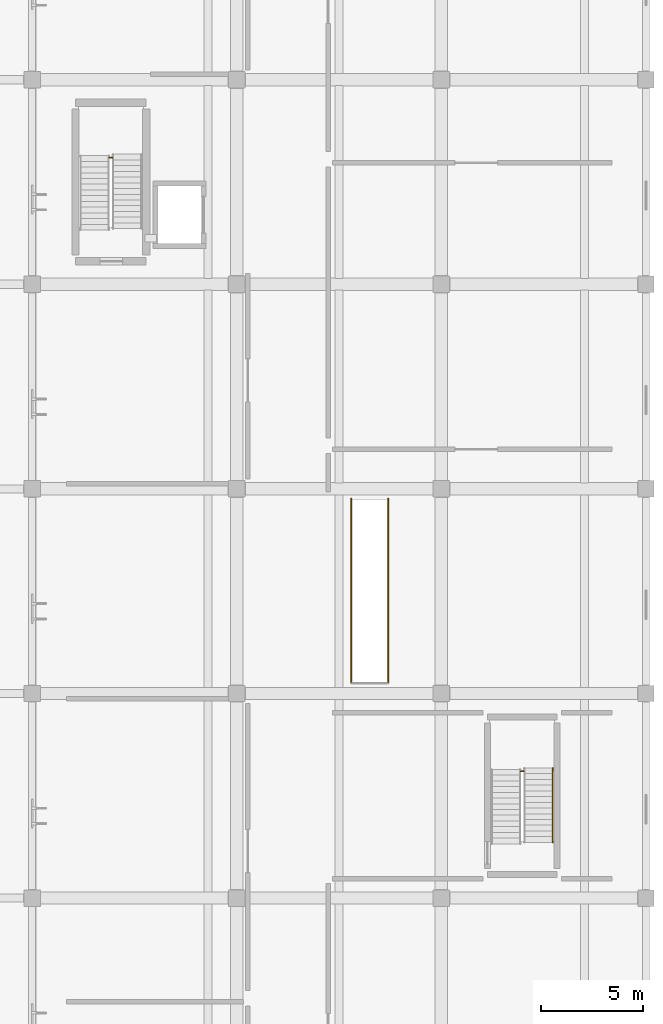
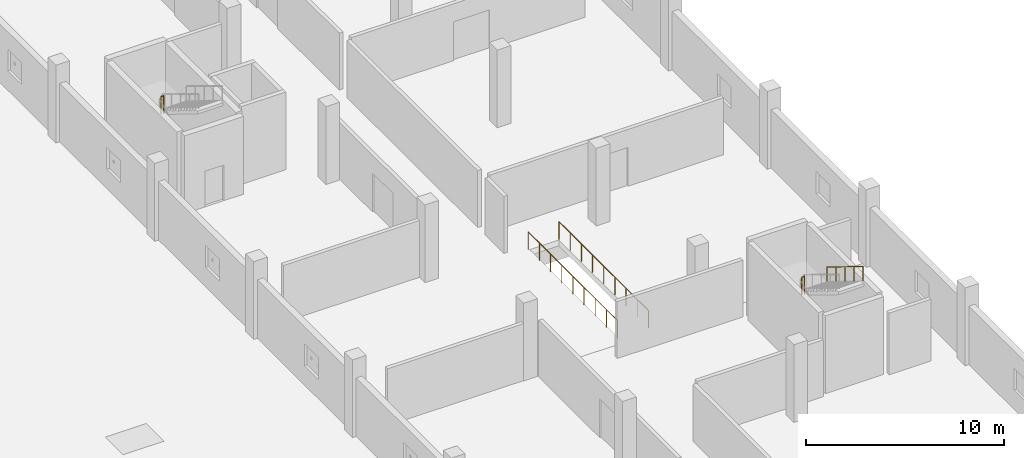
# One storey, part 155 of 179: 5 railings.
"""IFC4 building model written with IfcOpenShell, lengths in metres."""

from ifc_helpers import new_model, si_unit, direction, frame, origin, origin_2d, place, context, subcontext, project, spatial, circle, extrude, material, layer, layer_set, type_object, element, save


model = new_model("IFC4")

# Units and contexts
model_context = context("Model", 3, precision=1e-05, world=origin(), true_north=direction((0.0, 1.0)))
body_context = subcontext(model_context, "Body", "Model", "MODEL_VIEW")
ifc_project = project(units=[si_unit("LENGTHUNIT", "METRE"), si_unit("AREAUNIT", "SQUARE_METRE"), si_unit("VOLUMEUNIT", "CUBIC_METRE"), si_unit("PLANEANGLEUNIT", "RADIAN"), si_unit("MASSUNIT", "GRAM", prefix="KILO")], contexts=[model_context])

# Site, building, storey
site_placement = place(None, origin())
site = spatial("IfcSite", under=ifc_project, at=site_placement, CompositionType="ELEMENT")
building_placement = place(site_placement, origin())
building = spatial("IfcBuilding", under=site, at=building_placement, Name="Corvandel Quay Wholesale Market", CompositionType="ELEMENT")
storey_placement = place(building_placement, frame((0.0, 0.0, 6.0)))
storey = spatial("IfcBuildingStorey", under=building, at=storey_placement, Name="L01", CompositionType="ELEMENT", Elevation=6.0)

# Railings
ifc_material_1 = material(Name="Painted galvanised tubular steel", Category="steel")
ifc_layer_1 = layer(ifc_material_1, 0.054931640625)
ifc_layer_set_1 = layer_set([ifc_layer_1], Name="Painted galvanised tubular steel")
railing_type_1 = type_object("IfcRailingType", Name="Stairwell Inner Guard Railing GR02 1100mm", PredefinedType="GUARDRAIL", material=ifc_layer_set_1)
for number, where, name in (
    (1, (23.77001953125, 96.18994140625, 2.39990234375), "Stair Landing Well Guard 0117"),
    (2, (43.8701171875, 66.18994140625, 2.39990234375), "Stair Landing Well Guard 0128"),
):
    element("IfcRailing", number, at=place(storey_placement, frame(where)), inside=storey, type_object=railing_type_1, Name=name, PredefinedType="GUARDRAIL", context=body_context, shape_type="SweptSolid", body=[
        extrude(circle(Radius=0.02392578125, at=origin_2d()), frame((0.0, 0.0, 1.076171875), z_axis=(1.0, 0.0, 0.0), x_axis=(0.0, 1.0, 0.0)), (0.0, 0.0, 1.0), 0.159912109375),
        extrude(circle(Radius=0.02099609375, at=origin_2d()), origin(), (0.0, 0.0, 1.0), 1.052001953125),
        extrude(circle(Radius=0.02099609375, at=origin_2d()), frame((0.159912109375, 0.0, 0.0)), (0.0, 0.0, 1.0), 1.052001953125),
    ])
for number, where, name in (
    (3, (35.60009765625, 70.5, 0.0), "Feature Stair Well Guard 0243"),
    (4, (37.39990234375, 70.5, 0.0), "Feature Stair Well Guard 0244"),
):
    element("IfcRailing", number, at=place(storey_placement, frame(where)), inside=storey, type_object=railing_type_1, Name=name, PredefinedType="GUARDRAIL", context=body_context, shape_type="SweptSolid", body=[
        extrude(circle(Radius=0.02392578125, at=origin_2d()), frame((0.0, 0.0, 1.076171875), z_axis=(0.0, 1.0, 0.0), x_axis=(-1.0, 0.0, 0.0)), (0.0, 0.0, 1.0), 9.030029296875),
        extrude(circle(Radius=0.02099609375, at=origin_2d()), origin(), (0.0, 0.0, 1.0), 1.052001953125),
        extrude(circle(Radius=0.02099609375, at=origin_2d()), frame((0.0, 1.128662109375, 0.0)), (0.0, 0.0, 1.0), 1.052001953125),
        extrude(circle(Radius=0.02099609375, at=origin_2d()), frame((0.0, 2.257568359375, 0.0)), (0.0, 0.0, 1.0), 1.052001953125),
        extrude(circle(Radius=0.02099609375, at=origin_2d()), frame((0.0, 3.38623046875, 0.0)), (0.0, 0.0, 1.0), 1.052001953125),
        extrude(circle(Radius=0.02099609375, at=origin_2d()), frame((0.0, 4.51513671875, 0.0)), (0.0, 0.0, 1.0), 1.052001953125),
        extrude(circle(Radius=0.02099609375, at=origin_2d()), frame((0.0, 5.643798828125, 0.0)), (0.0, 0.0, 1.0), 1.052001953125),
        extrude(circle(Radius=0.02099609375, at=origin_2d()), frame((0.0, 6.7724609375, 0.0)), (0.0, 0.0, 1.0), 1.052001953125),
        extrude(circle(Radius=0.02099609375, at=origin_2d()), frame((0.0, 7.9013671875, 0.0)), (0.0, 0.0, 1.0), 1.052001953125),
        extrude(circle(Radius=0.02099609375, at=origin_2d()), frame((0.0, 9.030029296875, 0.0)), (0.0, 0.0, 1.0), 1.052001953125),
    ])
ifc_material_2 = material(Name="Brushed austenitic stainless steel Grade 316", Category="steel")
ifc_layer_2 = layer(ifc_material_2, 0.048095703125)
ifc_layer_set_2 = layer_set([ifc_layer_2], Name="Brushed austenitic stainless steel Grade 316")
railing_type_2 = type_object("IfcRailingType", Name="Tubular Stainless Stair Handrail HR01 915mm", PredefinedType="HANDRAIL", material=ifc_layer_set_2)
railing_placement = place(storey_placement, frame((45.43994140625, 66.360107421875, 2.5712890625)))
element("IfcRailing", 5, at=railing_placement, inside=storey, type_object=railing_type_2, Name="Stair Handrail 0127", PredefinedType="HANDRAIL", context=body_context, shape_type="SweptSolid", body=[
    extrude(circle(Radius=0.02392578125, at=origin_2d()), frame((0.0, 0.0, 0.89111328125), z_axis=(0.0, -0.852840387347, 0.522171689878), x_axis=(1.0, 0.0, 0.0)), (0.0, 0.0, 1.0), 4.268310546875),
    extrude(circle(Radius=0.02099609375, at=origin_2d()), origin(), (0.0, 0.0, 1.0), 0.866943359375),
    extrude(circle(Radius=0.02099609375, at=origin_2d()), frame((0.0, -0.91015625, 0.55712890625)), (0.0, 0.0, 1.0), 0.866943359375),
    extrude(circle(Radius=0.02099609375, at=origin_2d()), frame((0.0, -1.820068359375, 1.1142578125)), (0.0, 0.0, 1.0), 0.866943359375),
    extrude(circle(Radius=0.02099609375, at=origin_2d()), frame((0.0, -2.72998046875, 1.671630859375)), (0.0, 0.0, 1.0), 0.866943359375),
    extrude(circle(Radius=0.02099609375, at=origin_2d()), frame((0.0, -3.64013671875, 2.228759765625)), (0.0, 0.0, 1.0), 0.866943359375),
])

save(model, "model.ifc")
